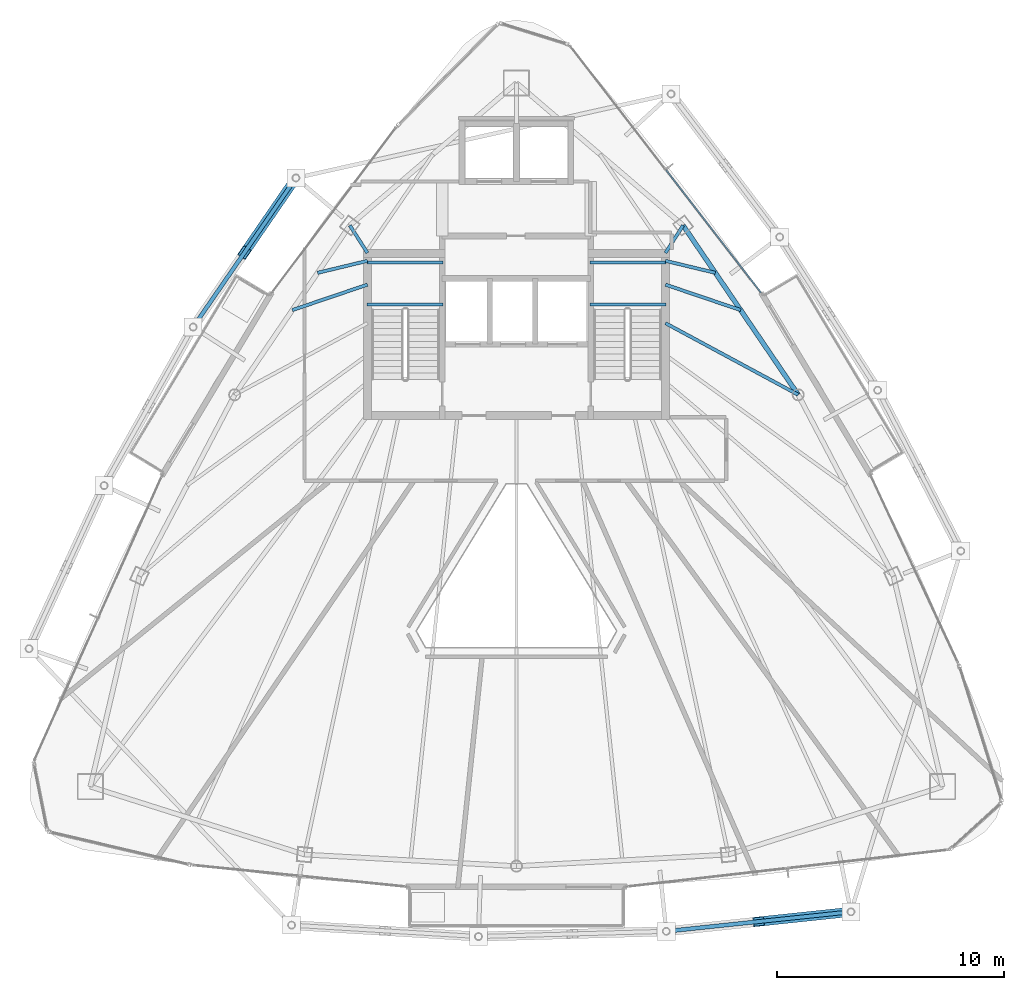
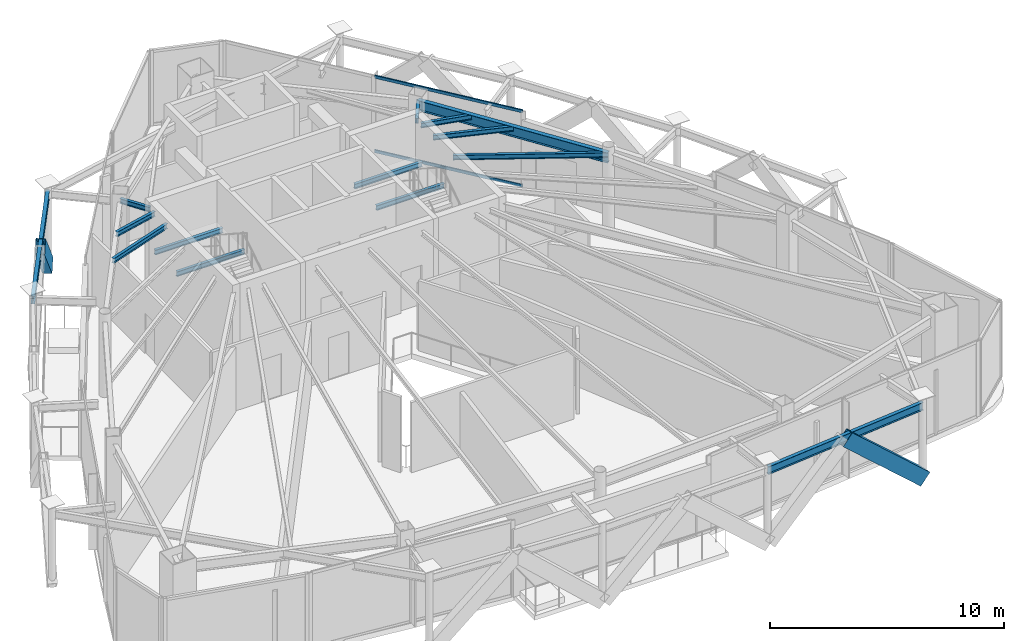
# One storey, part 10 of 22: 14 beams, 4 members, 1 element without a shape of its own.
"""IFC4 building model written with IfcOpenShell, lengths in metres."""

from ifc_helpers import new_model, si_unit, direction, frame, origin, origin_2d, place, context, subcontext, project, spatial, hollow_rectangle, i_section, extrude, material, layer, layer_set, material_profile, profile_set, type_object, element, aggregate, save


model = new_model("IFC4")

# Units and contexts
model_context = context("Model", 3, precision=1e-05, world=origin(), true_north=direction((0.0, 1.0)))
body_context = subcontext(model_context, "Body", "Model", "MODEL_VIEW")
ifc_project = project(units=[si_unit("LENGTHUNIT", "METRE"), si_unit("AREAUNIT", "SQUARE_METRE"), si_unit("VOLUMEUNIT", "CUBIC_METRE"), si_unit("PLANEANGLEUNIT", "RADIAN"), si_unit("MASSUNIT", "GRAM", prefix="KILO")], contexts=[model_context])

# Site, building, storey
site_placement = place(None, origin())
site = spatial("IfcSite", under=ifc_project, at=site_placement, CompositionType="ELEMENT")
building_placement = place(site_placement, origin())
building = spatial("IfcBuilding", under=site, at=building_placement, Name="Orvanel Arch Residences", CompositionType="ELEMENT")
storey_placement = place(building_placement, frame((0.0, 0.0, 276.64990234375)))
storey = spatial("IfcBuildingStorey", under=building, at=storey_placement, Name="L79", CompositionType="ELEMENT", Elevation=276.64990234375)

# Beams
ifc_material_1 = material(Name="Structural steel AS/NZS 3679.1 Grade 300 (300 MPa)", Category="steel")
ifc_material_profile_1 = material_profile(ifc_material_1, i_section(OverallWidth=0.14599609375, OverallDepth=0.251953125, WebThickness=0.006103515625, FlangeThickness=0.008544921875, at=origin_2d()), Name="250UB31.4")
ifc_profile_set_1 = profile_set([ifc_material_profile_1], Name="Structural steel AS/NZS 3679.1 Grade 300 (300 MPa)")
beam_type_1 = type_object("IfcBeamType", Name="BJ-250UB", PredefinedType="JOIST", material=ifc_profile_set_1)
for number, where, z_axis, x_axis, name in (
    (1, (26.39990234375, 31.6201171875, 1.84912109375), (1.0, 0.0, 0.0), (0.0, 1.0, 0.0), "L79 ST-1 Half-Landing Support Beam 1.1"),
    (2, (26.39990234375, 33.47998046875, 1.84912109375), (1.0, 0.0, 0.0), (0.0, 1.0, 0.0), "L79 ST-1 Half-Landing Support Beam 1.2"),
    (3, (36.25, 31.6201171875, 1.84912109375), (1.0, 0.0, 0.0), (0.0, 1.0, 0.0), "L79 ST-2 Half-Landing Support Beam 1.1"),
    (4, (36.25, 33.47998046875, 1.84912109375), (1.0, 0.0, 0.0), (0.0, 1.0, 0.0), "L79 ST-2 Half-Landing Support Beam 1.2"),
):
    element("IfcBeam", number, at=place(storey_placement, frame(where, z_axis=z_axis, x_axis=x_axis)), inside=storey, type_object=beam_type_1, Name=name, PredefinedType="JOIST", context=body_context, shape_type="SweptSolid", body=[
        extrude(i_section(OverallWidth=0.14599609375, OverallDepth=0.251953125, WebThickness=0.006103515625, FlangeThickness=0.008544921875, at=origin_2d()), origin(), (0.0, 0.0, 1.0), 3.35009765625),
    ])
for number, where, z_axis, x_axis, name in (
    (5, (26.425048828125, 33.89990234375, 3.82421875), (-0.539395075146, 0.842052820735, 0.0), (-0.842052820735, -0.539395075146, 0.0), "L79 NNW Wing Floor Joist"),
    (6, (39.574951171875, 33.89990234375, 3.82421875), (0.539395075146, 0.842052820735, 0.0), (-0.842052820735, 0.539395075146, 0.0), "L79 NNE Wing Floor Joist"),
):
    element("IfcBeam", number, at=place(storey_placement, frame(where, z_axis=z_axis, x_axis=x_axis)), inside=storey, type_object=beam_type_1, Name=name, PredefinedType="JOIST", context=body_context, shape_type="SweptSolid", body=[
        extrude(i_section(OverallWidth=0.14599609375, OverallDepth=0.251953125, WebThickness=0.006103515625, FlangeThickness=0.008544921875, at=origin_2d()), origin(), (0.0, 0.0, 1.0), 1.440673828125),
    ])
beam_1_placement = place(storey_placement, frame((39.574951171875, 30.800048828125, 3.82421875), z_axis=(0.880111494021, -0.474767056664, 0.0), x_axis=(0.474767056664, 0.880111494021, 0.0)))
element("IfcBeam", 7, at=beam_1_placement, inside=storey, type_object=beam_type_1, Name="L79 NE Wing Floor Joist", PredefinedType="JOIST", context=body_context, shape_type="SweptSolid", body=[
    extrude(i_section(OverallWidth=0.14599609375, OverallDepth=0.251953125, WebThickness=0.006103515625, FlangeThickness=0.008544921875, at=origin_2d()), origin(), (0.0, 0.0, 1.0), 6.653564453125),
])
beam_2_placement = place(storey_placement, frame((26.425048828125, 32.5, 3.82421875), z_axis=(-0.947187956478, -0.320678928373, 0.0), x_axis=(0.320678928373, -0.947187956478, 0.0)))
element("IfcBeam", 8, at=beam_2_placement, inside=storey, type_object=beam_type_1, Name="L79 WNW Wing Floor Joist", PredefinedType="JOIST", context=body_context, shape_type="SweptSolid", body=[
    extrude(i_section(OverallWidth=0.14599609375, OverallDepth=0.251953125, WebThickness=0.006103515625, FlangeThickness=0.008544921875, at=origin_2d()), origin(), (0.0, 0.0, 1.0), 3.502197265625),
])
beam_3_placement = place(storey_placement, frame((39.574951171875, 32.5, 3.82421875), z_axis=(0.947159269453, -0.320763648641, 0.0), x_axis=(0.320763648641, 0.947159269453, 0.0)))
element("IfcBeam", 9, at=beam_3_placement, inside=storey, type_object=beam_type_1, Name="L79 ENE Wing Floor Joist", PredefinedType="JOIST", context=body_context, shape_type="SweptSolid", body=[
    extrude(i_section(OverallWidth=0.14599609375, OverallDepth=0.251953125, WebThickness=0.006103515625, FlangeThickness=0.008544921875, at=origin_2d()), origin(), (0.0, 0.0, 1.0), 3.501220703125),
])
for number, where, z_axis, x_axis, name in (
    (10, (26.425048828125, 33.550048828125, 3.82421875), (-0.972256833016, -0.23391590509, 0.0), (0.23391590509, -0.972256833016, 0.0), "L79 JADD3 Wing Floor Joist"),
    (11, (39.574951171875, 33.550048828125, 3.82421875), (0.972256833016, -0.23391590509, 0.0), (0.23391590509, 0.972256833016, 0.0), "L79 JADD4 Wing Floor Joist"),
):
    element("IfcBeam", number, at=place(storey_placement, frame(where, z_axis=z_axis, x_axis=x_axis)), inside=storey, type_object=beam_type_1, Name=name, PredefinedType="JOIST", context=body_context, shape_type="SweptSolid", body=[
        extrude(i_section(OverallWidth=0.14599609375, OverallDepth=0.251953125, WebThickness=0.006103515625, FlangeThickness=0.008544921875, at=origin_2d()), origin(), (0.0, 0.0, 1.0), 2.26171875),
    ])

# Members
ifc_material_2 = material(Name="Structural steel AS/NZS 3678 Grade 350", Category="steel")
ifc_material_profile_2 = material_profile(ifc_material_2, hollow_rectangle(XDim=0.419921875, YDim=0.719970703125, WallThickness=0.02490234375, at=origin_2d()), Name="RHS720x420x25")
ifc_profile_set_2 = profile_set([ifc_material_profile_2], Name="Structural steel AS/NZS 3678 Grade 350")
member_type_1 = type_object("IfcMemberType", Name="BR-720RHS-EXT", PredefinedType="BRACE", material=ifc_profile_set_2)
member_1_placement = place(storey_placement, frame((23.26806640625, 37.20703125, 0.0), z_axis=(-0.413776977842, -0.60056059529, 0.684189728067), x_axis=(0.823470793498, -0.567358662801, 0.0)))
element("IfcMember", 12, at=member_1_placement, inside=storey, type_object=member_type_1, Name="L79 Exterior Sky-Garden V-Frame Chevron F1B1.1", PredefinedType="BRACE", context=body_context, shape_type="SweptSolid", body=[
    extrude(hollow_rectangle(XDim=0.419921875, YDim=0.719970703125, WallThickness=0.02490234375, at=origin_2d()), origin(), (0.0, 0.0, 1.0), 5.4765625),
])
member_2_placement = place(storey_placement, frame((47.759033203125, 4.827880859375, 0.0), z_axis=(-0.733880706465, -0.077604664005, 0.674830811984), x_axis=(0.105159293251, -0.994455390172, 0.0)))
element("IfcMember", 13, at=member_2_placement, inside=storey, type_object=member_type_1, Name="L79 Exterior Sky-Garden V-Frame Chevron F2B3.2", PredefinedType="BRACE", context=body_context, shape_type="SweptSolid", body=[
    extrude(hollow_rectangle(XDim=0.419921875, YDim=0.719970703125, WallThickness=0.02490234375, at=origin_2d()), origin(), (0.0, 0.0, 1.0), 5.552490234375),
])

# Beams
ifc_material_profile_3 = material_profile(ifc_material_1, i_section(OverallWidth=0.177978515625, OverallDepth=0.406005859375, WebThickness=0.0078125, FlangeThickness=0.0126953125, at=origin_2d()), Name="410UB59.7")
ifc_profile_set_3 = profile_set([ifc_material_profile_3], Name="Structural steel AS/NZS 3679.1 Grade 300 (300 MPa)")
beam_type_2 = type_object("IfcBeamType", Name="OB-410UB-EXT", PredefinedType="SPANDREL", material=ifc_profile_set_3)
beam_4_placement = place(storey_placement, frame((23.26806640625, 37.20703125, 3.7470703125), z_axis=(-0.567420831231, -0.823427956949, 0.0), x_axis=(0.823427956949, -0.567420831231, 0.0)))
element("IfcBeam", 14, at=beam_4_placement, inside=storey, type_object=beam_type_2, Name="L79 Outer Perimeter Floor Ring Beam 01", PredefinedType="SPANDREL", context=body_context, shape_type="SweptSolid", body=[
    extrude(i_section(OverallWidth=0.177978515625, OverallDepth=0.406005859375, WebThickness=0.0078125, FlangeThickness=0.0126953125, at=origin_2d()), origin(), (0.0, 0.0, 1.0), 7.98876953125),
])
beam_5_placement = place(storey_placement, frame((39.610107421875, 3.967041015625, 3.7470703125), z_axis=(0.994466529685, 0.105053897288, 0.0), x_axis=(-0.105053897288, 0.994466529685, 0.0)))
element("IfcBeam", 15, at=beam_5_placement, inside=storey, type_object=beam_type_2, Name="L79 Outer Perimeter Floor Ring Beam 07", PredefinedType="SPANDREL", context=body_context, shape_type="SweptSolid", body=[
    extrude(i_section(OverallWidth=0.177978515625, OverallDepth=0.406005859375, WebThickness=0.0078125, FlangeThickness=0.0126953125, at=origin_2d()), origin(), (0.0, 0.0, 1.0), 8.1943359375),
])
ifc_material_profile_4 = material_profile(ifc_material_1, i_section(OverallWidth=0.208984375, OverallDepth=0.532958984375, WebThickness=0.01025390625, FlangeThickness=0.015625, at=origin_2d()), Name="530UB92.4")
ifc_profile_set_4 = profile_set([ifc_material_profile_4], Name="Structural steel AS/NZS 3679.1 Grade 300 (300 MPa)")
beam_type_3 = type_object("IfcBeamType", Name="SP-530UB", PredefinedType="SPANDREL", material=ifc_profile_set_4)
beam_6_placement = place(storey_placement, frame((45.430908203125, 27.64111328125, 3.68408203125), z_axis=(-0.562154793153, 0.827032035978, 0.0), x_axis=(-0.827032035978, -0.562154793153, 0.0)))
element("IfcBeam", 16, at=beam_6_placement, inside=storey, type_object=beam_type_3, Name="L79 Perimeter Spandrel Beam 08", PredefinedType="SPANDREL", context=body_context, shape_type="SweptSolid", body=[
    extrude(i_section(OverallWidth=0.208984375, OverallDepth=0.532958984375, WebThickness=0.01025390625, FlangeThickness=0.015625, at=origin_2d()), origin(), (0.0, 0.0, 1.0), 9.03466796875),
])

# Curtain wall, members
ifc_material_3 = material(Name="Bronze-anodised aluminium AA6063-T6", Category="aluminium")
ifc_layer = layer(ifc_material_3, 0.195068359375)
ifc_layer_set = layer_set([ifc_layer], Name="Bronze-anodised aluminium AA6063-T6")
curtain_wall_type = type_object("IfcCurtainWallType", Name="CW6-COM-SYS", PredefinedType="NOTDEFINED", material=ifc_layer_set)
curtain_wall_placement = place(storey_placement, origin())
curtain_wall = element("IfcCurtainWall", 17, at=curtain_wall_placement, inside=storey, type_object=curtain_wall_type, Name="L79 CW6-COM-SYS Unitised Curtain Wall", PredefinedType="NOTDEFINED")
ifc_material_profile_5 = material_profile(ifc_material_3, hollow_rectangle(XDim=0.06494140625, YDim=0.14990234375, WallThickness=0.00390625, at=origin_2d()), Name="ALU150x65x4")
ifc_profile_set_5 = profile_set([ifc_material_profile_5], Name="Bronze-anodised aluminium AA6063-T6")
member_type_2 = type_object("IfcMemberType", Name="TRN-150x65", PredefinedType="USERDEFINED", material=ifc_profile_set_5)
member_3_placement = place(storey_placement, frame((43.7919921875, 32.143310546875, 0.03271484375), z_axis=(-0.612023418145, 0.79083963965, 0.0), x_axis=(-0.79083963965, -0.612023418145, 0.0)))
member_3 = element("IfcMember", 18, at=member_3_placement, type_object=member_type_2, Name="CW-S6 transom 1.1", ObjectType="TRANSOM", PredefinedType="USERDEFINED", context=body_context, shape_type="SweptSolid", body=[
    extrude(hollow_rectangle(XDim=0.06494140625, YDim=0.14990234375, WallThickness=0.00390625, at=origin_2d()), origin(), (0.0, 0.0, 1.0), 6.8388671875),
])
member_4_placement = place(storey_placement, frame((43.7919921875, 32.143310546875, 3.91748046875), z_axis=(-0.612023418145, 0.79083963965, 0.0), x_axis=(-0.79083963965, -0.612023418145, 0.0)))
member_4 = element("IfcMember", 19, at=member_4_placement, type_object=member_type_2, Name="CW-S6 transom 1.2", ObjectType="TRANSOM", PredefinedType="USERDEFINED", context=body_context, shape_type="SweptSolid", body=[
    extrude(hollow_rectangle(XDim=0.06494140625, YDim=0.14990234375, WallThickness=0.00390625, at=origin_2d()), origin(), (0.0, 0.0, 1.0), 6.8388671875),
])
aggregate(curtain_wall, [member_3, member_4])

save(model, "model.ifc")
